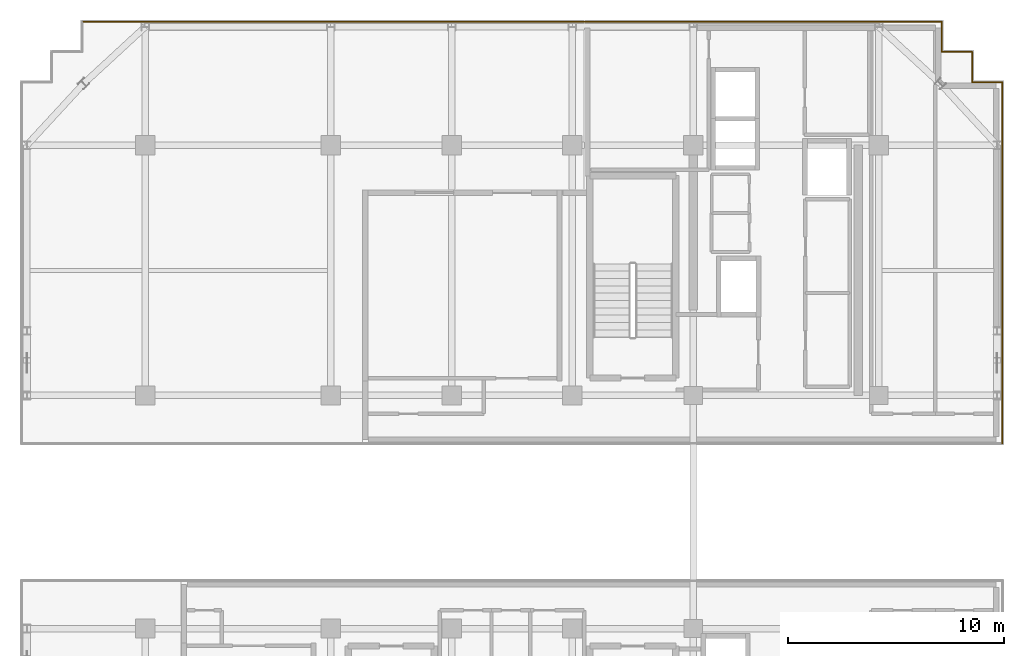
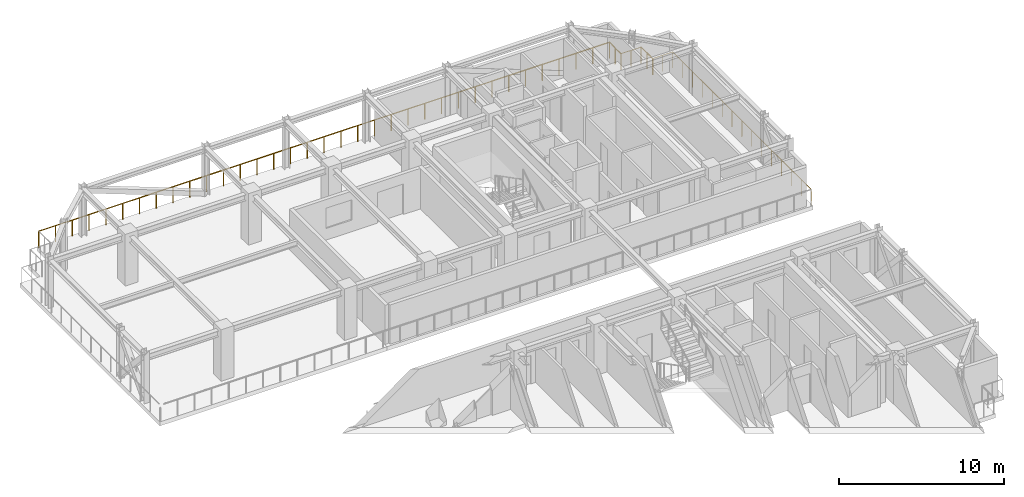
# One storey, part 14 of 14: 6 railings.
"""IFC4 building model written with IfcOpenShell, lengths in metres."""

from ifc_helpers import new_model, si_unit, direction, frame, origin, origin_2d, place, context, subcontext, project, spatial, circle, extrude, material, type_object, element, save


model = new_model("IFC4")

# Units and contexts
model_context = context("Model", 3, precision=1e-05, world=origin(), true_north=direction((0.0, 1.0)))
body_context = subcontext(model_context, "Body", "Model", "MODEL_VIEW")
ifc_project = project(units=[si_unit("LENGTHUNIT", "METRE"), si_unit("AREAUNIT", "SQUARE_METRE"), si_unit("VOLUMEUNIT", "CUBIC_METRE"), si_unit("PLANEANGLEUNIT", "RADIAN"), si_unit("MASSUNIT", "GRAM", prefix="KILO")], contexts=[model_context])

# Site, building, storey
site_placement = place(None, origin())
site = spatial("IfcSite", under=ifc_project, at=site_placement, CompositionType="ELEMENT")
building_placement = place(site_placement, origin())
building = spatial("IfcBuilding", under=site, at=building_placement, Name="Nahalor Promenade Grand Hotel", CompositionType="ELEMENT")
storey_placement = place(building_placement, frame((0.0, 0.0, 300.35009765625)))
storey = spatial("IfcBuildingStorey", under=building, at=storey_placement, Name="L77", CompositionType="ELEMENT", Elevation=300.35009765625)

# Railings
ifc_material = material(Name="Anodised Bronze Aluminium EN AW-6063 T6", Category="aluminium")
railing_type = type_object("IfcRailingType", Name="Bronze Balcony Guardrail 1200 mm", PredefinedType="GUARDRAIL", material=ifc_material)
railing_1_placement = place(storey_placement, frame((22.719970703125, 3.179931640625, 0.0)))
element("IfcRailing", 1, at=railing_1_placement, inside=storey, type_object=railing_type, Name="L77 Edge Guardrail RL-L77-WP-N-2", PredefinedType="GUARDRAIL", context=body_context, shape_type="SweptSolid", body=[
    extrude(circle(Radius=0.024048, at=origin_2d()), frame((0.0, 0.0, 1.17578125), z_axis=(0.0, 1.0, 0.0), x_axis=(-1.0, 0.0, 0.0)), (0.0, 0.0, 1.0), 16.739990234375),
    extrude(circle(Radius=0.020996, at=origin_2d()), origin(), (0.0, 0.0, 1.0), 1.14990234375),
    extrude(circle(Radius=0.020996, at=origin_2d()), frame((0.0, 1.19580078125, 0.0)), (0.0, 0.0, 1.0), 1.14990234375),
    extrude(circle(Radius=0.020996, at=origin_2d()), frame((0.0, 2.391357421875, 0.0)), (0.0, 0.0, 1.0), 1.14990234375),
    extrude(circle(Radius=0.020996, at=origin_2d()), frame((0.0, 3.587158203125, 0.0)), (0.0, 0.0, 1.0), 1.14990234375),
    extrude(circle(Radius=0.020996, at=origin_2d()), frame((0.0, 4.782958984375, 0.0)), (0.0, 0.0, 1.0), 1.14990234375),
    extrude(circle(Radius=0.020996, at=origin_2d()), frame((0.0, 5.978515625, 0.0)), (0.0, 0.0, 1.0), 1.14990234375),
    extrude(circle(Radius=0.020996, at=origin_2d()), frame((0.0, 7.17431640625, 0.0)), (0.0, 0.0, 1.0), 1.14990234375),
    extrude(circle(Radius=0.020996, at=origin_2d()), frame((0.0, 8.3701171875, 0.0)), (0.0, 0.0, 1.0), 1.14990234375),
    extrude(circle(Radius=0.020996, at=origin_2d()), frame((0.0, 9.565673828125, 0.0)), (0.0, 0.0, 1.0), 1.14990234375),
    extrude(circle(Radius=0.020996, at=origin_2d()), frame((0.0, 10.761474609375, 0.0)), (0.0, 0.0, 1.0), 1.14990234375),
    extrude(circle(Radius=0.020996, at=origin_2d()), frame((0.0, 11.95703125, 0.0)), (0.0, 0.0, 1.0), 1.14990234375),
    extrude(circle(Radius=0.020996, at=origin_2d()), frame((0.0, 13.15283203125, 0.0)), (0.0, 0.0, 1.0), 1.14990234375),
    extrude(circle(Radius=0.020996, at=origin_2d()), frame((0.0, 14.3486328125, 0.0)), (0.0, 0.0, 1.0), 1.14990234375),
    extrude(circle(Radius=0.020996, at=origin_2d()), frame((0.0, 15.544189453125, 0.0)), (0.0, 0.0, 1.0), 1.14990234375),
    extrude(circle(Radius=0.020996, at=origin_2d()), frame((0.0, 16.739990234375, 0.0)), (0.0, 0.0, 1.0), 1.14990234375),
])
railing_2_placement = place(storey_placement, frame((22.719970703125, 19.919921875, 0.0)))
element("IfcRailing", 2, at=railing_2_placement, inside=storey, type_object=railing_type, Name="L77 Edge Guardrail RL-L77-WP-N-3", PredefinedType="GUARDRAIL", context=body_context, shape_type="SweptSolid", body=[
    extrude(circle(Radius=0.024048, at=origin_2d()), frame((0.0, 0.0, 1.17578125), z_axis=(-1.0, 0.0, 0.0), x_axis=(0.0, -1.0, 0.0)), (0.0, 0.0, 1.0), 1.39990234375),
    extrude(circle(Radius=0.020996, at=origin_2d()), origin(), (0.0, 0.0, 1.0), 1.14990234375),
    extrude(circle(Radius=0.020996, at=origin_2d()), frame((-0.699951171875, 0.0, 0.0)), (0.0, 0.0, 1.0), 1.14990234375),
    extrude(circle(Radius=0.020996, at=origin_2d()), frame((-1.39990234375, 0.0, 0.0)), (0.0, 0.0, 1.0), 1.14990234375),
])
railing_3_placement = place(storey_placement, frame((21.320068359375, 19.919921875, 0.0)))
element("IfcRailing", 3, at=railing_3_placement, inside=storey, type_object=railing_type, Name="L77 Edge Guardrail RL-L77-WP-N-4", PredefinedType="GUARDRAIL", context=body_context, shape_type="SweptSolid", body=[
    extrude(circle(Radius=0.024048, at=origin_2d()), frame((0.0, 0.0, 1.17578125), z_axis=(0.0, 1.0, 0.0), x_axis=(-1.0, 0.0, 0.0)), (0.0, 0.0, 1.0), 1.400146484375),
    extrude(circle(Radius=0.020996, at=origin_2d()), origin(), (0.0, 0.0, 1.0), 1.14990234375),
    extrude(circle(Radius=0.020996, at=origin_2d()), frame((0.0, 0.7001953125, 0.0)), (0.0, 0.0, 1.0), 1.14990234375),
    extrude(circle(Radius=0.020996, at=origin_2d()), frame((0.0, 1.400146484375, 0.0)), (0.0, 0.0, 1.0), 1.14990234375),
])
railing_4_placement = place(storey_placement, frame((21.320068359375, 21.320068359375, 0.0)))
element("IfcRailing", 4, at=railing_4_placement, inside=storey, type_object=railing_type, Name="L77 Edge Guardrail RL-L77-WP-N-5", PredefinedType="GUARDRAIL", context=body_context, shape_type="SweptSolid", body=[
    extrude(circle(Radius=0.024048, at=origin_2d()), frame((0.0, 0.0, 1.17578125), z_axis=(-1.0, 0.0, 0.0), x_axis=(0.0, -1.0, 0.0)), (0.0, 0.0, 1.0), 1.400146484375),
    extrude(circle(Radius=0.020996, at=origin_2d()), origin(), (0.0, 0.0, 1.0), 1.14990234375),
    extrude(circle(Radius=0.020996, at=origin_2d()), frame((-0.7001953125, 0.0, 0.0)), (0.0, 0.0, 1.0), 1.14990234375),
    extrude(circle(Radius=0.020996, at=origin_2d()), frame((-1.400146484375, 0.0, 0.0)), (0.0, 0.0, 1.0), 1.14990234375),
])
railing_5_placement = place(storey_placement, frame((19.919921875, 21.320068359375, 0.0)))
element("IfcRailing", 5, at=railing_5_placement, inside=storey, type_object=railing_type, Name="L77 Edge Guardrail RL-L77-WP-N-6", PredefinedType="GUARDRAIL", context=body_context, shape_type="SweptSolid", body=[
    extrude(circle(Radius=0.024048, at=origin_2d()), frame((0.0, 0.0, 1.17578125), z_axis=(0.0, 1.0, 0.0), x_axis=(-1.0, 0.0, 0.0)), (0.0, 0.0, 1.0), 1.39990234375),
    extrude(circle(Radius=0.020996, at=origin_2d()), origin(), (0.0, 0.0, 1.0), 1.14990234375),
    extrude(circle(Radius=0.020996, at=origin_2d()), frame((0.0, 0.699951171875, 0.0)), (0.0, 0.0, 1.0), 1.14990234375),
    extrude(circle(Radius=0.020996, at=origin_2d()), frame((0.0, 1.39990234375, 0.0)), (0.0, 0.0, 1.0), 1.14990234375),
])
railing_6_placement = place(storey_placement, frame((19.919921875, 22.719970703125, 0.0)))
element("IfcRailing", 6, at=railing_6_placement, inside=storey, type_object=railing_type, Name="L77 Edge Guardrail RL-L77-WP-N-7", PredefinedType="GUARDRAIL", context=body_context, shape_type="SweptSolid", body=[
    extrude(circle(Radius=0.024048, at=origin_2d()), frame((0.0, 0.0, 1.17578125), z_axis=(-1.0, 0.0, 0.0), x_axis=(0.0, -1.0, 0.0)), (0.0, 0.0, 1.0), 39.83984375),
    extrude(circle(Radius=0.020996, at=origin_2d()), origin(), (0.0, 0.0, 1.0), 1.14990234375),
    extrude(circle(Radius=0.020996, at=origin_2d()), frame((-1.171875, 0.0, 0.0)), (0.0, 0.0, 1.0), 1.14990234375),
    extrude(circle(Radius=0.020996, at=origin_2d()), frame((-2.343505859375, 0.0, 0.0)), (0.0, 0.0, 1.0), 1.14990234375),
    extrude(circle(Radius=0.020996, at=origin_2d()), frame((-3.515380859375, 0.0, 0.0)), (0.0, 0.0, 1.0), 1.14990234375),
    extrude(circle(Radius=0.020996, at=origin_2d()), frame((-4.68701171875, 0.0, 0.0)), (0.0, 0.0, 1.0), 1.14990234375),
    extrude(circle(Radius=0.020996, at=origin_2d()), frame((-5.85888671875, 0.0, 0.0)), (0.0, 0.0, 1.0), 1.14990234375),
    extrude(circle(Radius=0.020996, at=origin_2d()), frame((-7.030517578125, 0.0, 0.0)), (0.0, 0.0, 1.0), 1.14990234375),
    extrude(circle(Radius=0.020996, at=origin_2d()), frame((-8.202392578125, 0.0, 0.0)), (0.0, 0.0, 1.0), 1.14990234375),
    extrude(circle(Radius=0.020996, at=origin_2d()), frame((-9.3740234375, 0.0, 0.0)), (0.0, 0.0, 1.0), 1.14990234375),
    extrude(circle(Radius=0.020996, at=origin_2d()), frame((-10.5458984375, 0.0, 0.0)), (0.0, 0.0, 1.0), 1.14990234375),
    extrude(circle(Radius=0.020996, at=origin_2d()), frame((-11.717529296875, 0.0, 0.0)), (0.0, 0.0, 1.0), 1.14990234375),
    extrude(circle(Radius=0.020996, at=origin_2d()), frame((-12.889404296875, 0.0, 0.0)), (0.0, 0.0, 1.0), 1.14990234375),
    extrude(circle(Radius=0.020996, at=origin_2d()), frame((-14.06103515625, 0.0, 0.0)), (0.0, 0.0, 1.0), 1.14990234375),
    extrude(circle(Radius=0.020996, at=origin_2d()), frame((-15.23291015625, 0.0, 0.0)), (0.0, 0.0, 1.0), 1.14990234375),
    extrude(circle(Radius=0.020996, at=origin_2d()), frame((-16.404541015625, 0.0, 0.0)), (0.0, 0.0, 1.0), 1.14990234375),
    extrude(circle(Radius=0.020996, at=origin_2d()), frame((-17.576416015625, 0.0, 0.0)), (0.0, 0.0, 1.0), 1.14990234375),
    extrude(circle(Radius=0.020996, at=origin_2d()), frame((-18.748046875, 0.0, 0.0)), (0.0, 0.0, 1.0), 1.14990234375),
    extrude(circle(Radius=0.020996, at=origin_2d()), frame((-19.919921875, 0.0, 0.0)), (0.0, 0.0, 1.0), 1.14990234375),
    extrude(circle(Radius=0.020996, at=origin_2d()), frame((-21.091796875, 0.0, 0.0)), (0.0, 0.0, 1.0), 1.14990234375),
    extrude(circle(Radius=0.020996, at=origin_2d()), frame((-22.263427734375, 0.0, 0.0)), (0.0, 0.0, 1.0), 1.14990234375),
    extrude(circle(Radius=0.020996, at=origin_2d()), frame((-23.435302734375, 0.0, 0.0)), (0.0, 0.0, 1.0), 1.14990234375),
    extrude(circle(Radius=0.020996, at=origin_2d()), frame((-24.60693359375, 0.0, 0.0)), (0.0, 0.0, 1.0), 1.14990234375),
    extrude(circle(Radius=0.020996, at=origin_2d()), frame((-25.77880859375, 0.0, 0.0)), (0.0, 0.0, 1.0), 1.14990234375),
    extrude(circle(Radius=0.020996, at=origin_2d()), frame((-26.950439453125, 0.0, 0.0)), (0.0, 0.0, 1.0), 1.14990234375),
    extrude(circle(Radius=0.020996, at=origin_2d()), frame((-28.122314453125, 0.0, 0.0)), (0.0, 0.0, 1.0), 1.14990234375),
    extrude(circle(Radius=0.020996, at=origin_2d()), frame((-29.2939453125, 0.0, 0.0)), (0.0, 0.0, 1.0), 1.14990234375),
    extrude(circle(Radius=0.020996, at=origin_2d()), frame((-30.4658203125, 0.0, 0.0)), (0.0, 0.0, 1.0), 1.14990234375),
    extrude(circle(Radius=0.020996, at=origin_2d()), frame((-31.637451171875, 0.0, 0.0)), (0.0, 0.0, 1.0), 1.14990234375),
    extrude(circle(Radius=0.020996, at=origin_2d()), frame((-32.809326171875, 0.0, 0.0)), (0.0, 0.0, 1.0), 1.14990234375),
    extrude(circle(Radius=0.020996, at=origin_2d()), frame((-33.98095703125, 0.0, 0.0)), (0.0, 0.0, 1.0), 1.14990234375),
    extrude(circle(Radius=0.020996, at=origin_2d()), frame((-35.15283203125, 0.0, 0.0)), (0.0, 0.0, 1.0), 1.14990234375),
    extrude(circle(Radius=0.020996, at=origin_2d()), frame((-36.324462890625, 0.0, 0.0)), (0.0, 0.0, 1.0), 1.14990234375),
    extrude(circle(Radius=0.020996, at=origin_2d()), frame((-37.496337890625, 0.0, 0.0)), (0.0, 0.0, 1.0), 1.14990234375),
    extrude(circle(Radius=0.020996, at=origin_2d()), frame((-38.66796875, 0.0, 0.0)), (0.0, 0.0, 1.0), 1.14990234375),
    extrude(circle(Radius=0.020996, at=origin_2d()), frame((-39.83984375, 0.0, 0.0)), (0.0, 0.0, 1.0), 1.14990234375),
])

save(model, "model.ifc")
